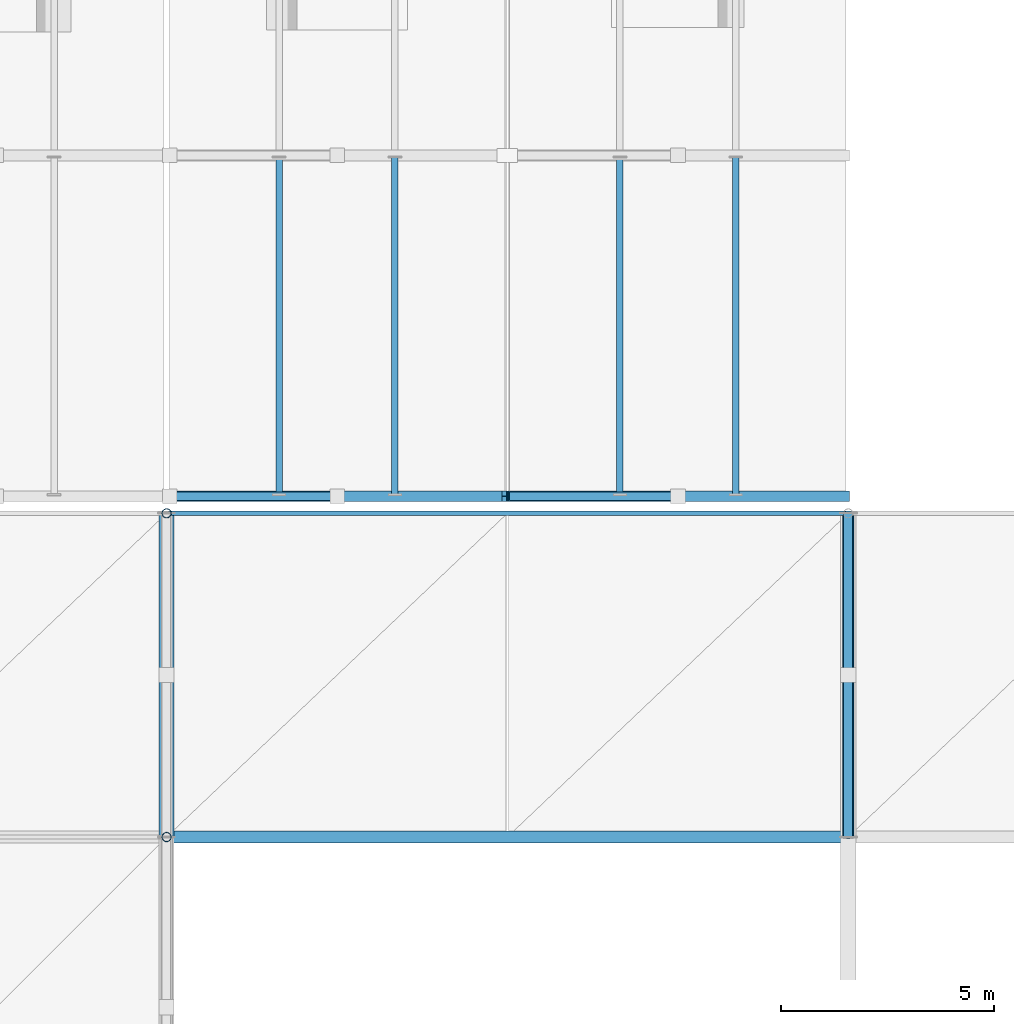
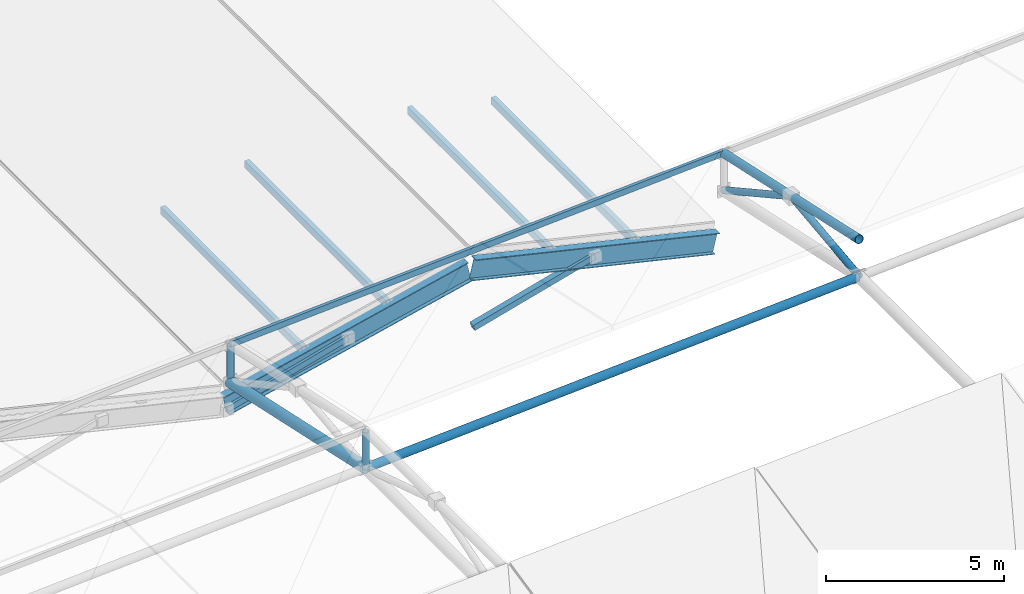
# One storey, part 19 of 67: 12 members, 4 beams.
"""IFC4 building model written with IfcOpenShell, lengths in metres."""

from ifc_helpers import new_model, si_unit, direction, frame, origin, origin_2d, place, context, subcontext, project, spatial, hollow_rectangle, hollow_circle, i_section, extrude, material, material_profile, profile_set, type_object, element, save


model = new_model("IFC4")

# Units and contexts
model_context = context("Model", 3, precision=1e-05, world=origin(), true_north=direction((0.0, 1.0)))
body_context = subcontext(model_context, "Body", "Model", "MODEL_VIEW")
ifc_project = project(units=[si_unit("LENGTHUNIT", "METRE"), si_unit("AREAUNIT", "SQUARE_METRE"), si_unit("VOLUMEUNIT", "CUBIC_METRE"), si_unit("PLANEANGLEUNIT", "RADIAN"), si_unit("MASSUNIT", "GRAM", prefix="KILO")], contexts=[model_context])

# Site, building, storey
site_placement = place(None, origin())
site = spatial("IfcSite", under=ifc_project, at=site_placement, CompositionType="ELEMENT")
building_placement = place(site_placement, origin())
building = spatial("IfcBuilding", under=site, at=building_placement, Name="Drelvath Fold Interchange", CompositionType="ELEMENT")
storey_placement = place(building_placement, frame((0.0, 0.0, 15.60009765625)))
storey = spatial("IfcBuildingStorey", under=building, at=storey_placement, Name="L03", CompositionType="ELEMENT", Elevation=15.60009765625)

# Beams
ifc_material_1 = material(Name="Steel ASTM A992 Grade 50", Category="steel")
ifc_material_profile_1 = material_profile(ifc_material_1, i_section(OverallWidth=0.256103515625, OverallDepth=0.693115234375, WebThickness=0.014404296875, FlangeThickness=0.023681640625, at=origin_2d()), Name="W27X114")
ifc_profile_set_1 = profile_set([ifc_material_profile_1], Name="Steel ASTM A992 Grade 50")
beam_type_1 = type_object("IfcBeamType", Name="BM-W27X114", PredefinedType="BEAM", material=ifc_profile_set_1)
for number, where, z_axis, x_axis, name in (
    (1, (68.050048828125, 59.0, -0.10009765625), (0.973655780122, 0.0, 0.228022853754), (0.0, 1.0, 0.0), "Folded-plate roof truss rafter"),
    (2, (76.050048828125, 59.0, 1.75), (0.973655780122, 0.0, -0.228022853754), (0.0, 1.0, 0.0), "Folded-plate roof truss rafter"),
):
    element("IfcBeam", number, at=place(storey_placement, frame(where, z_axis=z_axis, x_axis=x_axis)), inside=storey, type_object=beam_type_1, Name=name, PredefinedType="BEAM", context=body_context, shape_type="SweptSolid", body=[
        extrude(i_section(OverallWidth=0.256103515625, OverallDepth=0.693115234375, WebThickness=0.014404296875, FlangeThickness=0.023681640625, at=origin_2d()), origin(), (0.0, 0.0, 1.0), 8.11376953125),
    ])

# Members
ifc_material_2 = material(Name="Steel ASTM A500 Grade C", Category="steel")
ifc_material_profile_2 = material_profile(ifc_material_2, hollow_rectangle(XDim=0.202880859375, YDim=0.202880859375, WallThickness=0.0087890625, at=origin_2d()), Name="HSS8X8X3/8")
ifc_profile_set_2 = profile_set([ifc_material_profile_2], Name="Steel ASTM A500 Grade C")
member_type_1 = type_object("IfcMemberType", Name="FP-WEB203", PredefinedType="BRACE", material=ifc_profile_set_2)
for number, where, z_axis, x_axis, name in (
    (3, (68.080078125, 59.0, -0.25), (0.964395563634, 0.0, 0.264463980237), (0.0, 1.0, 0.0), "L03 Folded-plate roof truss web brace FP-WEB203"),
    (4, (76.080078125, 59.0, -0.25), (0.964395563634, 0.0, 0.264463980237), (0.0, 1.0, 0.0), "L03 Folded-plate roof truss web brace FP-WEB203"),
):
    element("IfcMember", number, at=place(storey_placement, frame(where, z_axis=z_axis, x_axis=x_axis)), inside=storey, type_object=member_type_1, Name=name, PredefinedType="BRACE", context=body_context, shape_type="SweptSolid", body=[
        extrude(hollow_rectangle(XDim=0.202880859375, YDim=0.202880859375, WallThickness=0.0087890625, at=origin_2d()), origin(), (0.0, 0.0, 1.0), 4.064697265625),
    ])
ifc_material_profile_3 = material_profile(ifc_material_2, hollow_rectangle(XDim=0.10205078125, YDim=0.202880859375, WallThickness=0.00732421875, at=origin_2d()), Name="HSS8X4X5/16")
ifc_profile_set_3 = profile_set([ifc_material_profile_3], Name="Steel ASTM A500 Grade C")
member_type_2 = type_object("IfcMemberType", Name="PR-HSS203", PredefinedType="PURLIN", material=ifc_profile_set_3)
member_1_placement = place(storey_placement, frame((68.0, 58.60009765625, 2.224853515625), z_axis=(0.998193134406, 0.0, 0.06008715691), x_axis=(0.0, 1.0, 0.0)))
element("IfcMember", 5, at=member_1_placement, inside=storey, type_object=member_type_2, Name="L03 Space frame canopy purlin PR-HSS203", PredefinedType="PURLIN", context=body_context, shape_type="SweptSolid", body=[
    extrude(hollow_rectangle(XDim=0.10205078125, YDim=0.202880859375, WallThickness=0.00732421875, at=origin_2d()), origin(), (0.0, 0.0, 1.0), 16.029052734375),
])
ifc_material_profile_4 = material_profile(ifc_material_2, hollow_rectangle(XDim=0.152099609375, YDim=0.25390625, WallThickness=0.0087890625, at=origin_2d()), Name="HSS10X6X3/8")
ifc_profile_set_4 = profile_set([ifc_material_profile_4], Name="Steel ASTM A500 Grade C")
member_type_3 = type_object("IfcMemberType", Name="PR-HSS254", PredefinedType="PURLIN", material=ifc_profile_set_4)
for number, where, z_axis, x_axis, name in (
    (6, (70.639892578125, 59.0400390625, 0.827880859375), (0.0, 1.0, 0.0), (-1.0, 0.0, 0.0), "L03 Folded-plate roof purlin PR-HSS254"),
    (7, (73.360107421875, 59.0400390625, 1.456787109375), (0.0, 1.0, 0.0), (-1.0, 0.0, 0.0), "L03 Folded-plate roof purlin PR-HSS254"),
    (8, (78.639892578125, 59.0400390625, 1.456787109375), (0.0, 1.0, 0.0), (-1.0, 0.0, 0.0), "L03 Folded-plate roof purlin PR-HSS254"),
    (9, (81.360107421875, 59.0400390625, 0.827880859375), (0.0, 1.0, 0.0), (-1.0, 0.0, 0.0), "L03 Folded-plate roof purlin PR-HSS254"),
):
    element("IfcMember", number, at=place(storey_placement, frame(where, z_axis=z_axis, x_axis=x_axis)), inside=storey, type_object=member_type_3, Name=name, PredefinedType="PURLIN", context=body_context, shape_type="SweptSolid", body=[
        extrude(hollow_rectangle(XDim=0.152099609375, YDim=0.25390625, WallThickness=0.0087890625, at=origin_2d()), origin(), (0.0, 0.0, 1.0), 7.919921875),
    ])
ifc_material_profile_5 = material_profile(ifc_material_2, hollow_circle(Radius=0.136474609375, WallThickness=0.01171875, at=origin_2d()), Name="HSS10.750X0.500")
ifc_profile_set_5 = profile_set([ifc_material_profile_5], Name="Steel ASTM A500 Grade C")
member_type_4 = type_object("IfcMemberType", Name="SF-CHD273", PredefinedType="CHORD", material=ifc_profile_set_5)
member_2_placement = place(storey_placement, frame((84.0, 51.0, 4.81201171875), z_axis=(0.0, 0.977074556089, -0.212897420943), x_axis=(-1.0, 0.0, 0.0)))
element("IfcMember", 10, at=member_2_placement, inside=storey, type_object=member_type_4, Name="L03 Space frame roof truss upper chord SF-CHD273", PredefinedType="CHORD", context=body_context, shape_type="SweptSolid", body=[
    extrude(hollow_circle(Radius=0.136474609375, WallThickness=0.01171875, at=origin_2d()), origin(), (0.0, 0.0, 1.0), 7.7783203125),
])

# Beams
ifc_material_profile_6 = material_profile(ifc_material_2, hollow_circle(Radius=0.177978515625, WallThickness=0.01171875, at=origin_2d()), Name="HSS14.000X0.500")
ifc_profile_set_6 = profile_set([ifc_material_profile_6], Name="Steel ASTM A500 Grade C")
beam_type_2 = type_object("IfcBeamType", Name="SF-RIB356", PredefinedType="BEAM", material=ifc_profile_set_6)
beam_1_placement = place(storey_placement, frame((68.0, 51.0, 2.579833984375), z_axis=(0.0, 0.977048433435, -0.213017273297), x_axis=(-1.0, 0.0, 0.0)))
element("IfcBeam", 11, at=beam_1_placement, inside=storey, type_object=beam_type_2, Name="Space frame roof truss main rib chord WEST", PredefinedType="BEAM", context=body_context, shape_type="SweptSolid", body=[
    extrude(hollow_circle(Radius=0.177978515625, WallThickness=0.01171875, at=origin_2d()), origin(), (0.0, 0.0, 1.0), 7.778564453125),
])
ifc_material_profile_7 = material_profile(ifc_material_2, hollow_circle(Radius=0.136474609375, WallThickness=0.01171875, at=origin_2d()), Name="HSS10.750X0.500")
ifc_profile_set_7 = profile_set([ifc_material_profile_7], Name="Steel ASTM A500 Grade C")
beam_type_3 = type_object("IfcBeamType", Name="SF-TIE273", PredefinedType="BEAM", material=ifc_profile_set_7)
beam_2_placement = place(storey_placement, frame((68.050048828125, 51.0, 2.579833984375), z_axis=(0.998174073419, 0.0, 0.060402973058), x_axis=(0.0, 1.0, 0.0)))
element("IfcBeam", 12, at=beam_2_placement, inside=storey, type_object=beam_type_3, Name="Space frame roof truss longitudinal tie WEST", PredefinedType="BEAM", context=body_context, shape_type="SweptSolid", body=[
    extrude(hollow_circle(Radius=0.136474609375, WallThickness=0.01171875, at=origin_2d()), origin(), (0.0, 0.0, 1.0), 15.928955078125),
])

# Members
ifc_material_profile_8 = material_profile(ifc_material_2, hollow_circle(Radius=0.109619140625, WallThickness=0.0087890625, at=origin_2d()), Name="HSS8.625X0.375")
ifc_profile_set_8 = profile_set([ifc_material_profile_8], Name="Steel ASTM A500 Grade C")
member_type_5 = type_object("IfcMemberType", Name="SF-WEB219", PredefinedType="BRACE", material=ifc_profile_set_8)
for number, where, z_axis, x_axis, name in (
    (13, (68.0, 51.0, 2.579833984375), (0.0, 0.0, 1.0), (1.0, 0.0, 0.0), "L03 Space frame roof truss web brace SF-WEB219"),
    (14, (68.0, 58.60009765625, 0.9228515625), (0.0, 0.0, 1.0), (1.0, 0.0, 0.0), "L03 Space frame roof truss web brace SF-WEB219"),
):
    element("IfcMember", number, at=place(storey_placement, frame(where, z_axis=z_axis, x_axis=x_axis)), inside=storey, type_object=member_type_5, Name=name, PredefinedType="BRACE", context=body_context, shape_type="SweptSolid", body=[
        extrude(hollow_circle(Radius=0.109619140625, WallThickness=0.0087890625, at=origin_2d()), origin(), (0.0, 0.0, 1.0), 1.27001953125),
    ])
member_3_placement = place(storey_placement, frame((84.0, 51.0, 3.5419921875), z_axis=(0.0, 0.993306528931, 0.115508179722), x_axis=(-1.0, 0.0, 0.0)))
element("IfcMember", 15, at=member_3_placement, inside=storey, type_object=member_type_5, Name="L03 Space frame roof truss web brace SF-WEB219", PredefinedType="BRACE", context=body_context, shape_type="SweptSolid", body=[
    extrude(hollow_circle(Radius=0.109619140625, WallThickness=0.0087890625, at=origin_2d()), origin(), (0.0, 0.0, 1.0), 3.82568359375),
])
member_4_placement = place(storey_placement, frame((84.0, 54.800048828125, 3.98388671875), z_axis=(0.0, 0.875448859195, -0.483310764347), x_axis=(-1.0, 0.0, 0.0)))
element("IfcMember", 16, at=member_4_placement, inside=storey, type_object=member_type_5, Name="L03 Space frame roof truss web brace SF-WEB219", PredefinedType="BRACE", context=body_context, shape_type="SweptSolid", body=[
    extrude(hollow_circle(Radius=0.109619140625, WallThickness=0.0087890625, at=origin_2d()), origin(), (0.0, 0.0, 1.0), 4.340576171875),
])

save(model, "model.ifc")
